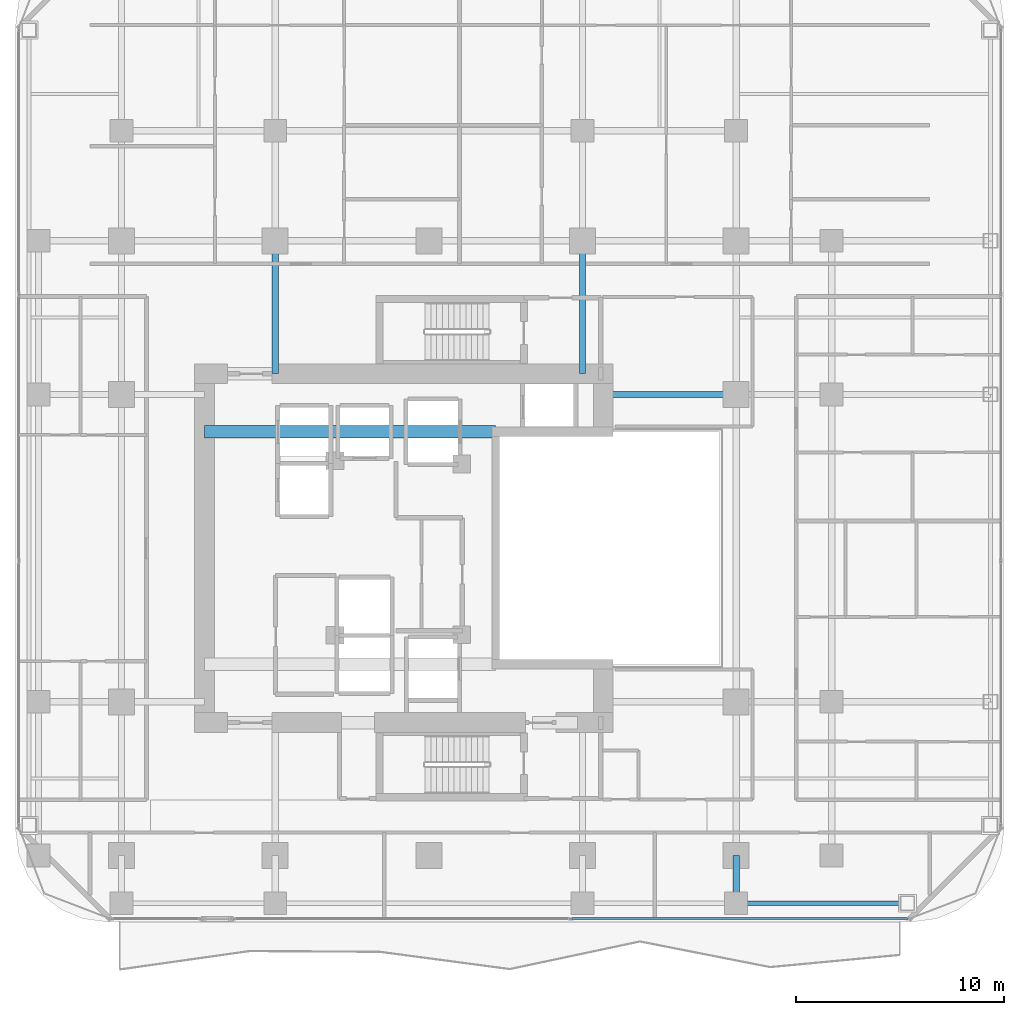
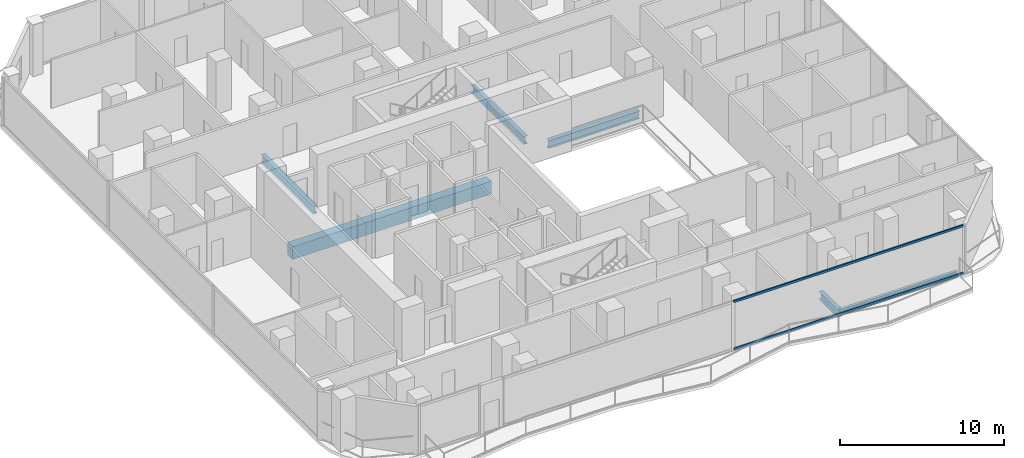
# One storey, part 8 of 27: 6 beams, 2 members, 1 element without a shape of its own.
"""IFC4 building model written with IfcOpenShell, lengths in metres."""

from ifc_helpers import new_model, si_unit, direction, frame, origin, origin_2d, place, context, subcontext, project, spatial, rectangle, hollow_rectangle, i_section, extrude, material, layer, layer_set, material_profile, profile_set, type_object, element, aggregate, save


model = new_model("IFC4")

# Units and contexts
model_context = context("Model", 3, precision=1e-05, world=origin(), true_north=direction((0.0, 1.0)))
body_context = subcontext(model_context, "Body", "Model", "MODEL_VIEW")
ifc_project = project(units=[si_unit("LENGTHUNIT", "METRE"), si_unit("AREAUNIT", "SQUARE_METRE"), si_unit("VOLUMEUNIT", "CUBIC_METRE"), si_unit("PLANEANGLEUNIT", "RADIAN"), si_unit("MASSUNIT", "GRAM", prefix="KILO")], contexts=[model_context])

# Site, building, storey
site_placement = place(None, origin())
site = spatial("IfcSite", under=ifc_project, at=site_placement, CompositionType="ELEMENT")
building_placement = place(site_placement, origin())
building = spatial("IfcBuilding", under=site, at=building_placement, Name="Khorvyn Point Tower", CompositionType="ELEMENT")
storey_placement = place(building_placement, frame((0.0, 0.0, 132.89990234375)))
storey = spatial("IfcBuildingStorey", under=building, at=storey_placement, Name="L33", CompositionType="ELEMENT", Elevation=132.89990234375)

# Curtain wall, members
ifc_material_1 = material(Name="Anodised aluminium 6063-T6 and laminated Low-E glass", Category="aluminium")
ifc_layer = layer(ifc_material_1, 0.18994140625)
ifc_layer_set = layer_set([ifc_layer], Name="Stick-Built Acoustic Curtain Wall CW-SYS-03")
curtain_wall_type = type_object("IfcCurtainWallType", Name="Stick-Built Acoustic Curtain Wall CW-SYS-03", PredefinedType="NOTDEFINED", material=ifc_layer_set)
curtain_wall_placement = place(storey_placement, origin())
curtain_wall = element("IfcCurtainWall", 1, at=curtain_wall_placement, inside=storey, type_object=curtain_wall_type, Name="Curtain Wall", PredefinedType="NOTDEFINED")
ifc_material_2 = material(Name="Anodised aluminium 6063-T6", Category="aluminium")
ifc_material_profile_1 = material_profile(ifc_material_2, hollow_rectangle(XDim=0.10009765625, YDim=0.159912109375, WallThickness=0.00439453125, at=origin_2d()))
ifc_profile_set_1 = profile_set([ifc_material_profile_1], Name="Anodised aluminium 6063-T6 ALU-TRN-100x160")
member_type = type_object("IfcMemberType", Name="Anodised Aluminium 6063-T6 Transom ALU-TRN-100x160", PredefinedType="USERDEFINED", material=ifc_profile_set_1)
member_1_placement = place(storey_placement, frame((23.050048828125, -17.85009765625, 0.050048828125), z_axis=(-1.0, 0.0, 0.0), x_axis=(0.0, -1.0, 0.0)))
member_1 = element("IfcMember", 2, at=member_1_placement, type_object=member_type, Name="Transom", ObjectType="TRANSOM", PredefinedType="USERDEFINED", context=body_context, shape_type="SweptSolid", body=[
    extrude(hollow_rectangle(XDim=0.10009765625, YDim=0.159912109375, WallThickness=0.00439453125, at=origin_2d()), origin(), (0.0, 0.0, 1.0), 16.16162109375),
])
member_2_placement = place(storey_placement, frame((23.050048828125, -17.85009765625, 3.570068359375), z_axis=(-1.0, 0.0, 0.0), x_axis=(0.0, -1.0, 0.0)))
member_2 = element("IfcMember", 3, at=member_2_placement, type_object=member_type, Name="Transom", ObjectType="TRANSOM", PredefinedType="USERDEFINED", context=body_context, shape_type="SweptSolid", body=[
    extrude(hollow_rectangle(XDim=0.10009765625, YDim=0.159912109375, WallThickness=0.00439453125, at=origin_2d()), origin(), (0.0, 0.0, 1.0), 16.16162109375),
])
aggregate(curtain_wall, [member_1, member_2])

# Beams
ifc_material_3 = material(Name="Concrete C50/60", Category="concrete")
ifc_material_profile_2 = material_profile(ifc_material_3, rectangle(XDim=0.60009765625, YDim=0.949951171875, at=origin_2d()))
ifc_profile_set_2 = profile_set([ifc_material_profile_2], Name="Concrete C50/60 RC600x950")
beam_type_1 = type_object("IfcBeamType", Name="Concrete C50/60 Beam RC600x950", PredefinedType="BEAM", material=ifc_profile_set_2)
beam_1_placement = place(storey_placement, frame((-10.800048828125, 5.60009765625, -0.69482421875), z_axis=(1.0, 0.0, 0.0), x_axis=(0.0, 1.0, 0.0)))
element("IfcBeam", 4, at=beam_1_placement, inside=storey, type_object=beam_type_1, Name="L33 Core Internal Tie Girder N", PredefinedType="BEAM", context=body_context, shape_type="SweptSolid", body=[
    extrude(rectangle(XDim=0.60009765625, YDim=0.949951171875, at=origin_2d()), origin(), (0.0, 0.0, 1.0), 14.02001953125),
])
ifc_material_4 = material(Name="Steel S355", Category="steel")
ifc_material_profile_3 = material_profile(ifc_material_4, i_section(OverallWidth=0.300048828125, OverallDepth=0.587890625, WebThickness=0.011962890625, FlangeThickness=0.02001953125, at=origin_2d()))
ifc_profile_set_3 = profile_set([ifc_material_profile_3], Name="Steel S355 H588x300x12x20")
beam_type_2 = type_object("IfcBeamType", Name="Steel S355 Beam H588x300x12x20", PredefinedType="BEAM", material=ifc_profile_set_3)
beam_2_placement = place(storey_placement, frame((8.39990234375, 7.39990234375, -0.513916015625), z_axis=(1.0, 0.0, 0.0), x_axis=(0.0, 1.0, 0.0)))
element("IfcBeam", 5, at=beam_2_placement, inside=storey, type_object=beam_type_2, Name="Beam", PredefinedType="BEAM", context=body_context, shape_type="SweptSolid", body=[
    extrude(i_section(OverallWidth=0.300048828125, OverallDepth=0.587890625, WebThickness=0.011962890625, FlangeThickness=0.02001953125, at=origin_2d()), origin(), (0.0, 0.0, 1.0), 6.400146484375),
])
beam_3_placement = place(storey_placement, frame((14.800048828125, -17.10009765625, -0.513916015625), z_axis=(0.0, 1.0, 0.0), x_axis=(-1.0, 0.0, 0.0)))
element("IfcBeam", 6, at=beam_3_placement, inside=storey, type_object=beam_type_2, Name="Beam", PredefinedType="BEAM", context=body_context, shape_type="SweptSolid", body=[
    extrude(i_section(OverallWidth=0.300048828125, OverallDepth=0.587890625, WebThickness=0.011962890625, FlangeThickness=0.02001953125, at=origin_2d()), origin(), (0.0, 0.0, 1.0), 2.300048828125),
])
for number, where, z_axis, x_axis, name in (
    (7, (-7.39990234375, 8.39990234375, -0.513916015625), (0.0, 1.0, 0.0), (-1.0, 0.0, 0.0), "Beam"),
    (8, (7.39990234375, 8.39990234375, -0.513916015625), (0.0, 1.0, 0.0), (-1.0, 0.0, 0.0), "Beam"),
):
    element("IfcBeam", number, at=place(storey_placement, frame(where, z_axis=z_axis, x_axis=x_axis)), inside=storey, type_object=beam_type_2, Name=name, PredefinedType="BEAM", context=body_context, shape_type="SweptSolid", body=[
        extrude(i_section(OverallWidth=0.300048828125, OverallDepth=0.587890625, WebThickness=0.011962890625, FlangeThickness=0.02001953125, at=origin_2d()), origin(), (0.0, 0.0, 1.0), 6.400146484375),
    ])
ifc_material_profile_4 = material_profile(ifc_material_4, i_section(OverallWidth=0.199951171875, OverallDepth=0.449951171875, WebThickness=0.009033203125, FlangeThickness=0.013916015625, at=origin_2d()))
ifc_profile_set_4 = profile_set([ifc_material_profile_4], Name="Steel S355 H450x200x9x14")
beam_type_3 = type_object("IfcBeamType", Name="Steel S355 Spandrel H450x200x9x14", PredefinedType="SPANDREL", material=ifc_profile_set_4)
beam_4_placement = place(storey_placement, frame((14.800048828125, -17.10009765625, -0.44482421875), z_axis=(1.0, 0.0, 0.0), x_axis=(0.0, 1.0, 0.0)))
element("IfcBeam", 9, at=beam_4_placement, inside=storey, type_object=beam_type_3, Name="Beam", PredefinedType="SPANDREL", context=body_context, shape_type="SweptSolid", body=[
    extrude(i_section(OverallWidth=0.199951171875, OverallDepth=0.449951171875, WebThickness=0.009033203125, FlangeThickness=0.013916015625, at=origin_2d()), origin(), (0.0, 0.0, 1.0), 8.25),
])

save(model, "model.ifc")
